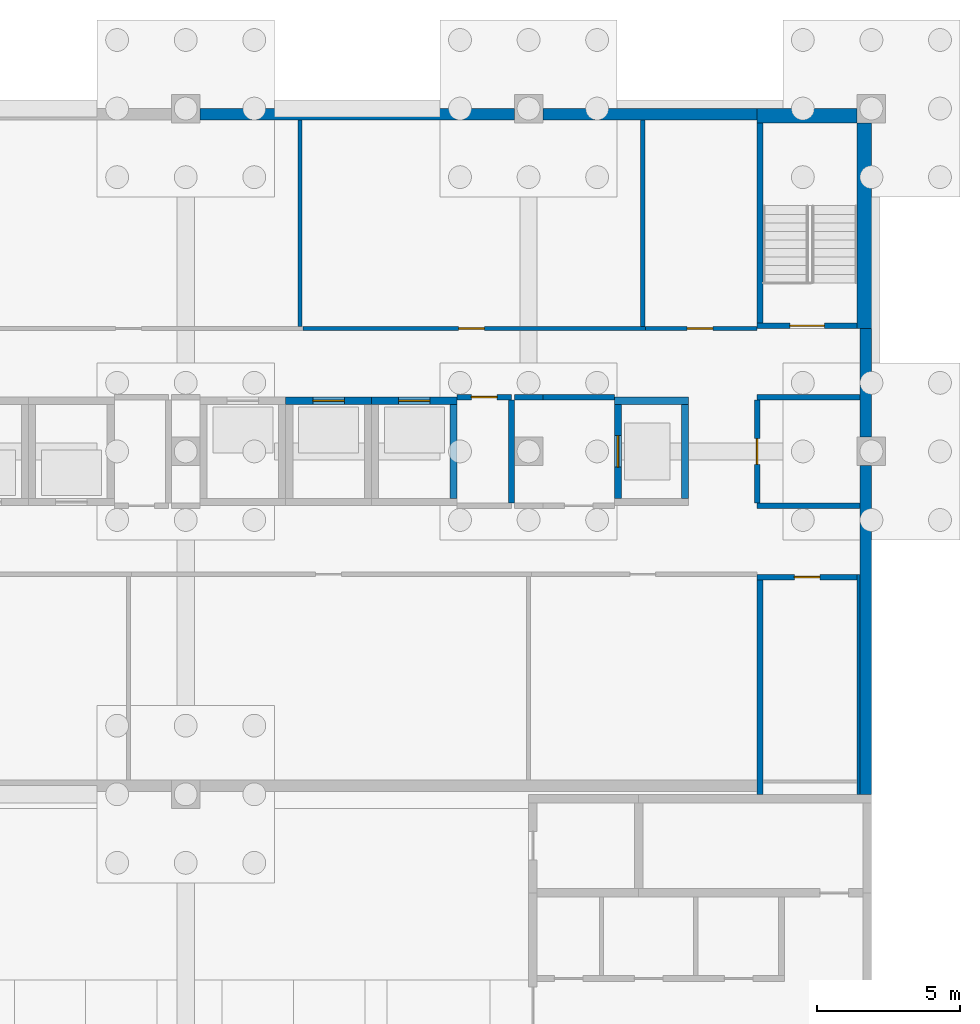
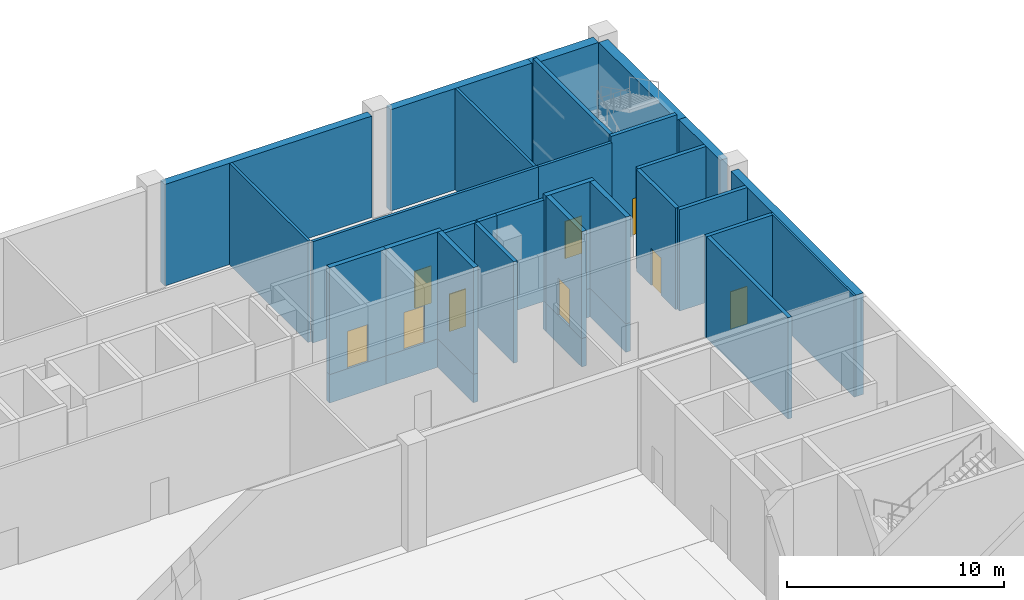
# One storey, part 28 of 34: 34 walls, 9 doors, 9 openings.
"""IFC4 building model written with IfcOpenShell, lengths in metres."""

import ifcopenshell
import ifcopenshell.guid

model = None  # the IFC model being written
_history = None  # IfcOwnerHistory: only IFC2X3 demands one
_inside = {}  # id of a spatial element -> (the spatial element, [elements in it])
_under = {}  # id of a project, library or spatial element -> (it, [spatial elements below it])
_declared = {}  # id of a project -> (the project, [libraries it declares])
_typed = {}  # id of a type object -> (the type object, [elements of that type])
_made_of = {}  # id of a material, layer set ... -> (it, [elements and type objects made of it])


def new_model(schema):
    """Start an empty IFC model of exactly this schema.

    Asked for "IFC4X3", IfcOpenShell would pick the latest addendum, in which some entities
    have other attributes; the version numbers below select the first issue.
    IFC2X3 requires an IfcOwnerHistory on every rooted entity: one is made here for all.
    """
    global model, _history
    if schema == "IFC4X3":
        model = ifcopenshell.file(schema_version=(4, 3, 0, 0))
    else:
        model = ifcopenshell.file(schema=schema)
    _inside.clear()
    _under.clear()
    _declared.clear()
    _typed.clear()
    _made_of.clear()
    _history = None
    if model.schema == "IFC2X3":
        org = make("IfcOrganization", Name="unknown")
        user = make(
            "IfcPersonAndOrganization",
            ThePerson=make("IfcPerson", FamilyName="unknown"),
            TheOrganization=org,
        )
        app = make(
            "IfcApplication",
            ApplicationDeveloper=org,
            Version="unknown",
            ApplicationFullName="unknown",
            ApplicationIdentifier="unknown",
        )
        _history = make(
            "IfcOwnerHistory",
            OwningUser=user,
            OwningApplication=app,
            ChangeAction="ADDED",
            CreationDate=0,
        )
    return model


def make(cls, **values):
    """One entity of the class cls with the attributes given. An attribute that is None is left unset."""
    return model.create_entity(
        cls, **{name: value for name, value in values.items() if value is not None}
    )


def rooted(cls, **values):
    """An entity with a GlobalId (a new one), such as an element, a storey or a relation."""
    return make(cls, GlobalId=ifcopenshell.guid.new(), OwnerHistory=_history, **values)


def si_unit(unit_type, name, prefix=None):
    """IfcSIUnit, for example si_unit("LENGTHUNIT", "METRE", prefix="MILLI")."""
    return make("IfcSIUnit", UnitType=unit_type, Prefix=prefix, Name=name)


def assignment(units):
    """IfcUnitAssignment: the units of a project."""
    return None if units is None else make("IfcUnitAssignment", Units=units)


def point(xyz):
    """IfcCartesianPoint."""
    return None if xyz is None else make("IfcCartesianPoint", Coordinates=xyz)


def direction(xyz):
    """IfcDirection."""
    return None if xyz is None else make("IfcDirection", DirectionRatios=xyz)


def frame(location, z_axis=None, x_axis=None):
    """IfcAxis2Placement3D, a coordinate frame: its origin and axes. An axis left out is left unset."""
    return make(
        "IfcAxis2Placement3D",
        Location=point(location),
        Axis=direction(z_axis),
        RefDirection=direction(x_axis),
    )


def frame_2d(location, x_axis=None):
    """IfcAxis2Placement2D, a coordinate frame in the plane: its origin and x axis."""
    return make(
        "IfcAxis2Placement2D", Location=point(location), RefDirection=direction(x_axis)
    )


def origin():
    """The frame at (0, 0, 0) with its axes left unset."""
    return frame((0.0, 0.0, 0.0))


def place(relative_to, where):
    """IfcLocalPlacement: puts the frame where relative to a parent placement (None: the world)."""
    return make(
        "IfcLocalPlacement", PlacementRelTo=relative_to, RelativePlacement=where
    )


def context(
    kind, dimensions, precision=None, world=None, true_north=None, identifier=None
):
    """IfcGeometricRepresentationContext, for example the 3D "Model" context."""
    return make(
        "IfcGeometricRepresentationContext",
        ContextIdentifier=identifier,
        ContextType=kind,
        CoordinateSpaceDimension=dimensions,
        Precision=precision,
        WorldCoordinateSystem=world,
        TrueNorth=true_north,
    )


def subcontext(parent, identifier, kind, view, scale=None):
    """IfcGeometricRepresentationSubContext, for example "Body" below "Model"."""
    return make(
        "IfcGeometricRepresentationSubContext",
        ContextIdentifier=identifier,
        ContextType=kind,
        ParentContext=parent,
        TargetScale=scale,
        TargetView=view,
    )


def project(units=None, contexts=None):
    """IfcProject with its units and contexts."""
    return rooted(
        "IfcProject",
        Name="project",
        RepresentationContexts=contexts,
        UnitsInContext=assignment(units),
    )


def spatial(cls, under=None, at=None, **own):
    """A site, building, storey or space (cls), placed at a placement, below another one or the project."""
    s = rooted(cls, ObjectPlacement=at, **own)
    if under is not None:
        _under.setdefault(under.id(), (under, []))[1].append(s)
    return s


def profile(cls, at=None, kind="AREA", **sizes):
    """A parametric profile (cls). Its sizes go by their IFC names, for example OverallWidth=200.0."""
    return make(cls, ProfileType=kind, Position=at, **sizes)


def rectangle(**sizes):
    """IfcRectangleProfileDef."""
    return profile("IfcRectangleProfileDef", **sizes)


def extrude(swept, where, along, depth):
    """IfcExtrudedAreaSolid: the profile swept, set in the frame where, extruded along a direction by depth."""
    return make(
        "IfcExtrudedAreaSolid",
        SweptArea=swept,
        Position=where,
        ExtrudedDirection=direction(along),
        Depth=depth,
    )


def shape(context_of_items, identifier, shape_type, items):
    """IfcShapeRepresentation: the items that make up one representation, for example the "Body"."""
    return make(
        "IfcShapeRepresentation",
        ContextOfItems=context_of_items,
        RepresentationIdentifier=identifier,
        RepresentationType=shape_type,
        Items=items,
    )


def material(Name=None, Category=None):
    """IfcMaterial."""
    return make("IfcMaterial", Name=Name, Category=Category)


def layer(
    of_material, thickness, ventilated=None, Name=None, Category=None, Priority=None
):
    """IfcMaterialLayer: one layer of a wall or slab, of a material (None: an air gap)."""
    return make(
        "IfcMaterialLayer",
        Material=of_material,
        LayerThickness=thickness,
        IsVentilated=ventilated,
        Name=Name,
        Category=Category,
        Priority=Priority,
    )


def layer_set(layers, Name=None):
    """IfcMaterialLayerSet."""
    return make("IfcMaterialLayerSet", MaterialLayers=layers, LayerSetName=Name)


def made_of(thing, what):
    """Note that an element or type object is made of a material, layer set ...; save() writes the relation."""
    if what is not None:
        _made_of.setdefault(what.id(), (what, []))[1].append(thing)
    return thing


def type_object(cls, material=None, **own):
    """A type object (cls), such as IfcWallType, which elements share."""
    return made_of(rooted(cls, **own), material)


def element(
    cls,
    number,
    at=None,
    inside=None,
    cuts=None,
    type_object=None,
    material=None,
    context=None,
    identifier="Body",
    shape_type=None,
    held_by="IfcProductDefinitionShape",
    body=None,
    shapes=None,
    **own,
):
    """One element of the class cls, such as IfcWall. Its Tag is "e" and its number.

    at: its placement. inside: the storey or other place that contains it. cuts: it is an
    opening in that element (IfcRelVoidsElement). A single representation is given by context,
    identifier, shape_type and body (its items); several are given by shapes. held_by: the class
    of the entity that holds the representations. save() writes the other relations.
    """
    e = rooted(cls, Tag="e%d" % number, ObjectPlacement=at, **own)
    if body is not None:
        shapes = [shape(context, identifier, shape_type, body)]
    if shapes is not None:
        e.Representation = make(held_by, Representations=shapes)
    if inside is not None:
        _inside.setdefault(inside.id(), (inside, []))[1].append(e)
    if cuts is not None:
        rooted(
            "IfcRelVoidsElement", RelatingBuildingElement=cuts, RelatedOpeningElement=e
        )
    if type_object is not None:
        _typed.setdefault(type_object.id(), (type_object, []))[1].append(e)
    return made_of(e, material)


def fill(opening, filler):
    """IfcRelFillsElement: the door or window that sits in an opening."""
    return rooted(
        "IfcRelFillsElement",
        RelatingOpeningElement=opening,
        RelatedBuildingElement=filler,
    )


def aggregate(whole, parts):
    """IfcRelAggregates: a whole, such as a stair, and the parts it consists of."""
    return rooted("IfcRelAggregates", RelatingObject=whole, RelatedObjects=parts)


def save(model, path):
    """Write the relations noted so far, then the file.

    IfcRelAggregates (storeys below a building ...), IfcRelContainedInSpatialStructure (elements
    in a storey), IfcRelDefinesByType, IfcRelAssociatesMaterial and IfcRelDeclares: one each for
    every whole, place, type object, material and project.
    """
    for whole, parts in _under.values():
        aggregate(whole, parts)
    for where, things in _inside.values():
        rooted(
            "IfcRelContainedInSpatialStructure",
            RelatedElements=things,
            RelatingStructure=where,
        )
    for kind, things in _typed.values():
        rooted("IfcRelDefinesByType", RelatedObjects=things, RelatingType=kind)
    for what, things in _made_of.values():
        rooted("IfcRelAssociatesMaterial", RelatedObjects=things, RelatingMaterial=what)
    for by, libraries in _declared.values():
        rooted("IfcRelDeclares", RelatingContext=by, RelatedDefinitions=libraries)
    model.write(path)


model = new_model("IFC4")

# Units and contexts
model_context = context("Model", 3, precision=1e-05, world=origin(), true_north=direction((0.0, 1.0)))
body_context = subcontext(model_context, "Body", "Model", "MODEL_VIEW")
ifc_project = project(units=[si_unit("LENGTHUNIT", "METRE"), si_unit("AREAUNIT", "SQUARE_METRE"), si_unit("VOLUMEUNIT", "CUBIC_METRE"), si_unit("PLANEANGLEUNIT", "RADIAN"), si_unit("MASSUNIT", "GRAM", prefix="KILO")], contexts=[model_context])

# Site, building, storey
site_placement = place(None, origin())
site = spatial("IfcSite", under=ifc_project, at=site_placement, CompositionType="ELEMENT")
building_placement = place(site_placement, origin())
building = spatial("IfcBuilding", under=site, at=building_placement, Name="Lilac Gate Convention Centre", CompositionType="ELEMENT")
storey_placement = place(building_placement, frame((0.0, 0.0, -6.0)))
storey = spatial("IfcBuildingStorey", under=building, at=storey_placement, Name="B1", CompositionType="ELEMENT", Elevation=-6.0)

# Walls
ifc_material_1 = material(Name="Concrete C35", Category="concrete")
ifc_layer_1 = layer(ifc_material_1, 0.39990234375)
ifc_layer_set_1 = layer_set([ifc_layer_1], Name="Concrete C35")
wall_type_1 = type_object("IfcWallType", Name="Basement wall 400 C35", PredefinedType="SOLIDWALL", material=ifc_layer_set_1)
wall_1_placement = place(storey_placement, frame((89.800048828125, 222.0, 0.0), z_axis=(0.0, 0.0, 1.0), x_axis=(0.0, 1.0, 0.0)))
element("IfcWall", 1, at=wall_1_placement, inside=storey, type_object=wall_type_1, Name="SW2 basement wall 7 at 8/G", PredefinedType="SOLIDWALL", context=body_context, shape_type="SweptSolid", body=[
    extrude(rectangle(XDim=11.5, YDim=0.39990234375, at=frame_2d((5.75, 0.0))), origin(), (0.0, 0.0, 1.0), 5.699951171875),
])
wall_2_placement = place(storey_placement, frame((89.800048828125, 234.5, 0.0), z_axis=(0.0, 0.0, 1.0), x_axis=(0.0, 1.0, 0.0)))
element("IfcWall", 2, at=wall_2_placement, inside=storey, type_object=wall_type_1, Name="SW2 basement wall 8 at 8/G", PredefinedType="SOLIDWALL", context=body_context, shape_type="SweptSolid", body=[
    extrude(rectangle(XDim=3.800048828125, YDim=0.39990234375, at=frame_2d((1.89990234375, 0.0))), origin(), (0.0, 0.0, 1.0), 5.699951171875),
])
wall_3_placement = place(storey_placement, frame((66.5, 245.800048828125, 0.0), z_axis=(0.0, 0.0, 1.0), x_axis=(1.0, 0.0, 0.0)))
element("IfcWall", 3, at=wall_3_placement, inside=storey, type_object=wall_type_1, Name="SW2 basement wall 6 at 1/U", PredefinedType="SOLIDWALL", context=body_context, shape_type="SweptSolid", body=[
    extrude(rectangle(XDim=11.0, YDim=0.39990234375, at=frame_2d((5.5, 0.0))), origin(), (0.0, 0.0, 1.0), 5.699951171875),
])
wall_4_placement = place(storey_placement, frame((78.5, 245.800048828125, 0.0), z_axis=(0.0, 0.0, 1.0), x_axis=(1.0, 0.0, 0.0)))
element("IfcWall", 4, at=wall_4_placement, inside=storey, type_object=wall_type_1, Name="SW2 basement wall 7 at 1/U", PredefinedType="SOLIDWALL", context=body_context, shape_type="SweptSolid", body=[
    extrude(rectangle(XDim=7.5, YDim=0.39990234375, at=frame_2d((3.75, 0.0))), origin(), (0.0, 0.0, 1.0), 5.699951171875),
])
ifc_material_2 = material(Name="Concrete C60", Category="concrete")
ifc_layer_2 = layer(ifc_material_2, 0.10009765625)
ifc_layer_set_2 = layer_set([ifc_layer_2], Name="Concrete C60")
wall_type_2 = type_object("IfcWallType", Name="Core wall 100 C60", PredefinedType="SHEAR", material=ifc_layer_set_2)
wall_5_placement = place(storey_placement, frame((89.550048828125, 229.699951171875, 0.0), z_axis=(0.0, 0.0, 1.0), x_axis=(0.0, -1.0, 0.0)))
element("IfcWall", 5, at=wall_5_placement, inside=storey, type_object=wall_type_2, Name="CRW8 core wall TS-EX B1 1", PredefinedType="SHEAR", context=body_context, shape_type="SweptSolid", body=[
    extrude(rectangle(XDim=7.699951171875, YDim=0.10009765625, at=frame_2d((3.85009765625, 0.0))), origin(), (0.0, 0.0, 1.0), 5.699951171875),
])

# Wall, opening, door
ifc_layer_3 = layer(ifc_material_2, 0.199951171875)
ifc_layer_set_3 = layer_set([ifc_layer_3], Name="Concrete C60")
wall_type_3 = type_object("IfcWallType", Name="Core wall 200 C60", PredefinedType="SHEAR", material=ifc_layer_set_3)
wall_6_placement = place(storey_placement, frame((86.0, 238.39990234375, 0.0), z_axis=(0.0, 0.0, 1.0), x_axis=(1.0, 0.0, 0.0)))
wall_6 = element("IfcWall", 6, at=wall_6_placement, inside=storey, type_object=wall_type_3, Name="CRW2 core wall TB-N B1 1", PredefinedType="SHEAR", context=body_context, shape_type="SweptSolid", body=[
    extrude(rectangle(XDim=3.5, YDim=0.199951171875, at=frame_2d((1.75, 0.0))), origin(), (0.0, 0.0, 1.0), 6.0),
])
opening_1_placement = place(wall_6_placement, frame((1.14990234375, 0.0, 0.0)))
opening_1 = element("IfcOpeningElement", 7, at=opening_1_placement, cuts=wall_6, Name="Opening TB1-026", PredefinedType="OPENING", context=body_context, shape_type="SweptSolid", body=[
    extrude(rectangle(XDim=1.199951171875, YDim=2.10009765625, at=frame_2d((0.60009765625, 1.050048828125))), frame((0.0, 0.10986328125, 0.0), z_axis=(0.0, -1.0, 0.0), x_axis=(1.0, 0.0, 0.0)), (0.0, 0.0, 1.0), 0.219970703125),
])
ifc_material_3 = material(Name="Steel Q235B", Category="steel")
door_type_1 = type_object("IfcDoorType", Name="Stair door 1200", OperationType="SINGLE_SWING_LEFT", PredefinedType="DOOR", material=ifc_material_3)
door_1_placement = place(opening_1_placement, origin())
door_1 = element("IfcDoor", 8, at=door_1_placement, inside=storey, type_object=door_type_1, Name="Stair door BN B1", OperationType="SINGLE_SWING_LEFT", OverallHeight=2.10009765625, OverallWidth=1.199951171875, PredefinedType="DOOR", context=body_context, shape_type="SweptSolid", body=[
    extrude(rectangle(XDim=1.199951171875, YDim=2.10009765625, at=frame_2d((0.60009765625, 1.050048828125))), frame((0.0, 0.02490234375, 0.0), z_axis=(0.0, -1.0, 0.0), x_axis=(1.0, 0.0, 0.0)), (0.0, 0.0, 1.0), 0.050048828125),
])
fill(opening_1, door_1)

# Wall
wall_7_placement = place(storey_placement, frame((86.10009765625, 238.5, 0.0), z_axis=(0.0, 0.0, 1.0), x_axis=(0.0, 1.0, 0.0)))
element("IfcWall", 9, at=wall_7_placement, inside=storey, type_object=wall_type_3, Name="CRW2 core wall TB-N B1 2", PredefinedType="SHEAR", context=body_context, shape_type="SweptSolid", body=[
    extrude(rectangle(XDim=7.0, YDim=0.199951171875, at=frame_2d((3.5, 0.0))), origin(), (0.0, 0.0, 1.0), 6.0),
])

# Wall, opening, door
wall_8_placement = place(storey_placement, frame((89.5, 229.60009765625, 0.0), z_axis=(0.0, 0.0, 1.0), x_axis=(-1.0, 0.0, 0.0)))
wall_8 = element("IfcWall", 10, at=wall_8_placement, inside=storey, type_object=wall_type_3, Name="CRW2 core wall TS-E B1 1", PredefinedType="SHEAR", context=body_context, shape_type="SweptSolid", body=[
    extrude(rectangle(XDim=3.5, YDim=0.199951171875, at=frame_2d((1.75, 0.0))), origin(), (0.0, 0.0, 1.0), 5.699951171875),
])
opening_2_placement = place(wall_8_placement, frame((1.300048828125, 0.0, 0.0)))
opening_2 = element("IfcOpeningElement", 11, at=opening_2_placement, cuts=wall_8, Name="Opening TB1-025", PredefinedType="OPENING", context=body_context, shape_type="SweptSolid", body=[
    extrude(rectangle(XDim=0.89990234375, YDim=2.10009765625, at=frame_2d((0.449951171875, 1.050048828125))), frame((0.0, 0.10986328125, 0.0), z_axis=(0.0, -1.0, 0.0), x_axis=(1.0, 0.0, 0.0)), (0.0, 0.0, 1.0), 0.219970703125),
])
door_type_2 = type_object("IfcDoorType", Name="Riser and store door 900", OperationType="SINGLE_SWING_LEFT", PredefinedType="DOOR", material=ifc_material_3)
door_2_placement = place(opening_2_placement, origin())
door_2 = element("IfcDoor", 12, at=door_2_placement, inside=storey, type_object=door_type_2, Name="Engineering Store door", OperationType="SINGLE_SWING_RIGHT", OverallHeight=2.10009765625, OverallWidth=0.89990234375, PredefinedType="DOOR", context=body_context, shape_type="SweptSolid", body=[
    extrude(rectangle(XDim=0.89990234375, YDim=2.10009765625, at=frame_2d((0.449951171875, 1.050048828125))), frame((0.0, 0.02490234375, 0.0), z_axis=(0.0, -1.0, 0.0), x_axis=(1.0, 0.0, 0.0)), (0.0, 0.0, 1.0), 0.050048828125),
])
fill(opening_2, door_2)

# Wall
wall_9_placement = place(storey_placement, frame((86.10009765625, 222.0, 0.0), z_axis=(0.0, 0.0, 1.0), x_axis=(0.0, 1.0, 0.0)))
element("IfcWall", 13, at=wall_9_placement, inside=storey, type_object=wall_type_3, Name="CRW2 core wall TS-E B1 2", PredefinedType="SHEAR", context=body_context, shape_type="SweptSolid", body=[
    extrude(rectangle(XDim=7.5, YDim=0.199951171875, at=frame_2d((3.75, 0.0))), origin(), (0.0, 0.0, 1.0), 5.699951171875),
])

# Wall, opening, door
ifc_layer_4 = layer(ifc_material_2, 0.25)
ifc_layer_set_4 = layer_set([ifc_layer_4], Name="Concrete C60")
wall_type_4 = type_object("IfcWallType", Name="Core wall 250 C60", PredefinedType="SHEAR", material=ifc_layer_set_4)
wall_10_placement = place(storey_placement, frame((69.5, 235.77490234375, 0.0), z_axis=(0.0, 0.0, 1.0), x_axis=(1.0, 0.0, 0.0)))
wall_10 = element("IfcWall", 14, at=wall_10_placement, inside=storey, type_object=wall_type_4, Name="CRW3 core wall TC B1 18", PredefinedType="SHEAR", context=body_context, shape_type="SweptSolid", body=[
    extrude(rectangle(XDim=3.0, YDim=0.25, at=frame_2d((1.5, 0.0))), origin(), (0.0, 0.0, 1.0), 6.0),
])
opening_3_placement = place(wall_10_placement, frame((0.949951171875, 0.0, 0.0)))
opening_3 = element("IfcOpeningElement", 15, at=opening_3_placement, cuts=wall_10, Name="Opening TB1-019", PredefinedType="OPENING", context=body_context, shape_type="SweptSolid", body=[
    extrude(rectangle(XDim=1.10009765625, YDim=2.10009765625, at=frame_2d((0.550048828125, 1.050048828125))), frame((0.0, 0.135009765625, 0.0), z_axis=(0.0, -1.0, 0.0), x_axis=(1.0, 0.0, 0.0)), (0.0, 0.0, 1.0), 0.27001953125),
])
ifc_material_4 = material(Name="Stainless steel 304", Category="steel")
door_type_3 = type_object("IfcDoorType", Name="Lift landing door 1100", OperationType="SLIDING_TO_LEFT", PredefinedType="DOOR", material=ifc_material_4)
door_3_placement = place(opening_3_placement, origin())
door_3 = element("IfcDoor", 16, at=door_3_placement, inside=storey, type_object=door_type_3, Name="Lift landing door TP5 B1", OperationType="SLIDING_TO_LEFT", OverallHeight=2.10009765625, OverallWidth=1.10009765625, PredefinedType="DOOR", context=body_context, shape_type="SweptSolid", body=[
    extrude(rectangle(XDim=1.10009765625, YDim=2.10009765625, at=frame_2d((0.550048828125, 1.050048828125))), frame((0.0, 0.02490234375, 0.0), z_axis=(0.0, -1.0, 0.0), x_axis=(1.0, 0.0, 0.0)), (0.0, 0.0, 1.0), 0.050048828125),
])
fill(opening_3, door_3)

wall_11_placement = place(storey_placement, frame((72.5, 235.77490234375, 0.0), z_axis=(0.0, 0.0, 1.0), x_axis=(1.0, 0.0, 0.0)))
wall_11 = element("IfcWall", 17, at=wall_11_placement, inside=storey, type_object=wall_type_4, Name="CRW3 core wall TC B1 22", PredefinedType="SHEAR", context=body_context, shape_type="SweptSolid", body=[
    extrude(rectangle(XDim=3.0, YDim=0.25, at=frame_2d((1.5, 0.0))), origin(), (0.0, 0.0, 1.0), 6.0),
])
opening_4_placement = place(wall_11_placement, frame((0.949951171875, 0.0, 0.0)))
opening_4 = element("IfcOpeningElement", 18, at=opening_4_placement, cuts=wall_11, Name="Opening TB1-020", PredefinedType="OPENING", context=body_context, shape_type="SweptSolid", body=[
    extrude(rectangle(XDim=1.10009765625, YDim=2.10009765625, at=frame_2d((0.550048828125, 1.050048828125))), frame((0.0, 0.135009765625, 0.0), z_axis=(0.0, -1.0, 0.0), x_axis=(1.0, 0.0, 0.0)), (0.0, 0.0, 1.0), 0.27001953125),
])
door_4_placement = place(opening_4_placement, origin())
door_4 = element("IfcDoor", 19, at=door_4_placement, inside=storey, type_object=door_type_3, Name="Lift landing door TP6 B1", OperationType="SLIDING_TO_LEFT", OverallHeight=2.10009765625, OverallWidth=1.10009765625, PredefinedType="DOOR", context=body_context, shape_type="SweptSolid", body=[
    extrude(rectangle(XDim=1.10009765625, YDim=2.10009765625, at=frame_2d((0.550048828125, 1.050048828125))), frame((0.0, 0.02490234375, 0.0), z_axis=(0.0, -1.0, 0.0), x_axis=(1.0, 0.0, 0.0)), (0.0, 0.0, 1.0), 0.050048828125),
])
fill(opening_4, door_4)

# Walls
wall_12_placement = place(storey_placement, frame((75.375, 232.35009765625, 0.0), z_axis=(0.0, 0.0, 1.0), x_axis=(0.0, 1.0, 0.0)))
element("IfcWall", 20, at=wall_12_placement, inside=storey, type_object=wall_type_4, Name="CRW3 core wall TC B1 24", PredefinedType="SHEAR", context=body_context, shape_type="SweptSolid", body=[
    extrude(rectangle(XDim=3.2998046875, YDim=0.25, at=frame_2d((1.64990234375, 0.0))), origin(), (0.0, 0.0, 1.0), 6.0),
])
wall_13_placement = place(storey_placement, frame((81.0, 235.77490234375, 0.0), z_axis=(0.0, 0.0, 1.0), x_axis=(1.0, 0.0, 0.0)))
element("IfcWall", 21, at=wall_13_placement, inside=storey, type_object=wall_type_4, Name="CRW3 core wall TC B1 34", PredefinedType="SHEAR", context=body_context, shape_type="SweptSolid", body=[
    extrude(rectangle(XDim=2.60009765625, YDim=0.25, at=frame_2d((1.300048828125, 0.0))), origin(), (0.0, 0.0, 1.0), 6.0),
])

# Wall, opening, door
wall_14_placement = place(storey_placement, frame((81.125, 232.35009765625, 0.0), z_axis=(0.0, 0.0, 1.0), x_axis=(0.0, 1.0, 0.0)))
wall_14 = element("IfcWall", 22, at=wall_14_placement, inside=storey, type_object=wall_type_4, Name="CRW3 core wall TC B1 35", PredefinedType="SHEAR", context=body_context, shape_type="SweptSolid", body=[
    extrude(rectangle(XDim=3.2998046875, YDim=0.25, at=frame_2d((1.64990234375, 0.0))), origin(), (0.0, 0.0, 1.0), 6.0),
])
opening_5_placement = place(wall_14_placement, frame((1.10009765625, 0.0, 0.0)))
opening_5 = element("IfcOpeningElement", 23, at=opening_5_placement, cuts=wall_14, Name="Opening TB1-023", PredefinedType="OPENING", context=body_context, shape_type="SweptSolid", body=[
    extrude(rectangle(XDim=1.10009765625, YDim=2.10009765625, at=frame_2d((0.550048828125, 1.050048828125))), frame((0.0, 0.135009765625, 0.0), z_axis=(0.0, -1.0, 0.0), x_axis=(1.0, 0.0, 0.0)), (0.0, 0.0, 1.0), 0.27001953125),
])
door_5_placement = place(opening_5_placement, origin())
door_5 = element("IfcDoor", 24, at=door_5_placement, inside=storey, type_object=door_type_3, Name="Lift landing door TF1 B1", OperationType="SLIDING_TO_LEFT", OverallHeight=2.10009765625, OverallWidth=1.10009765625, PredefinedType="DOOR", context=body_context, shape_type="SweptSolid", body=[
    extrude(rectangle(XDim=1.10009765625, YDim=2.10009765625, at=frame_2d((0.550048828125, 1.050048828125))), frame((0.0, 0.02490234375, 0.0), z_axis=(0.0, -1.0, 0.0), x_axis=(1.0, 0.0, 0.0)), (0.0, 0.0, 1.0), 0.050048828125),
])
fill(opening_5, door_5)

# Walls
wall_15_placement = place(storey_placement, frame((83.47509765625, 232.35009765625, 0.0), z_axis=(0.0, 0.0, 1.0), x_axis=(0.0, 1.0, 0.0)))
element("IfcWall", 25, at=wall_15_placement, inside=storey, type_object=wall_type_4, Name="CRW3 core wall TC B1 36", PredefinedType="SHEAR", context=body_context, shape_type="SweptSolid", body=[
    extrude(rectangle(XDim=3.2998046875, YDim=0.25, at=frame_2d((1.64990234375, 0.0))), origin(), (0.0, 0.0, 1.0), 6.0),
])
ifc_layer_5 = layer(ifc_material_2, 0.5)
ifc_layer_set_5 = layer_set([ifc_layer_5], Name="Concrete C60")
wall_type_5 = type_object("IfcWallType", Name="Core wall 500 C60", PredefinedType="SHEAR", material=ifc_layer_set_5)
wall_16_placement = place(storey_placement, frame((89.75, 238.300048828125, 0.0), z_axis=(0.0, 0.0, 1.0), x_axis=(0.0, 1.0, 0.0)))
element("IfcWall", 26, at=wall_16_placement, inside=storey, type_object=wall_type_5, Name="CRW1 core wall TB-E B1 1", PredefinedType="SHEAR", context=body_context, shape_type="SweptSolid", body=[
    extrude(rectangle(XDim=7.199951171875, YDim=0.5, at=frame_2d((3.60009765625, 0.0))), origin(), (0.0, 0.0, 1.0), 5.699951171875),
])
wall_17_placement = place(storey_placement, frame((86.0, 245.75, 0.0), z_axis=(0.0, 0.0, 1.0), x_axis=(1.0, 0.0, 0.0)))
element("IfcWall", 27, at=wall_17_placement, inside=storey, type_object=wall_type_5, Name="CRW1 core wall TB-E B1 2", PredefinedType="SHEAR", context=body_context, shape_type="SweptSolid", body=[
    extrude(rectangle(XDim=3.5, YDim=0.5, at=frame_2d((1.75, 0.0))), origin(), (0.0, 0.0, 1.0), 5.699951171875),
])

# Wall, opening, door
ifc_material_5 = material(Name="Gypsum board on steel stud", Category="steel")
ifc_layer_6 = layer(ifc_material_5, 0.14990234375)
ifc_layer_set_6 = layer_set([ifc_layer_6], Name="Gypsum board on steel stud")
wall_type_6 = type_object("IfcWallType", Name="Corridor wall 150", PredefinedType="PARTITIONING", material=ifc_layer_set_6)
wall_18_placement = place(storey_placement, frame((70.10009765625, 238.300048828125, 0.0), z_axis=(0.0, 0.0, 1.0), x_axis=(1.0, 0.0, 0.0)))
wall_18 = element("IfcWall", 28, at=wall_18_placement, inside=storey, type_object=wall_type_6, Name="Corridor wall 150 front WTR", PredefinedType="PARTITIONING", context=body_context, shape_type="SweptSolid", body=[
    extrude(rectangle(XDim=12.0, YDim=0.14990234375, at=frame_2d((6.0, 0.0))), origin(), (0.0, 0.0, 1.0), 5.699951171875),
])
opening_6_placement = place(wall_18_placement, frame((5.449951171875, 0.0, 0.0)))
opening_6 = element("IfcOpeningElement", 29, at=opening_6_placement, cuts=wall_18, Name="Opening TB1-013", PredefinedType="OPENING", context=body_context, shape_type="SweptSolid", body=[
    extrude(rectangle(XDim=0.89990234375, YDim=2.10009765625, at=frame_2d((0.449951171875, 1.050048828125))), frame((0.0, 0.0849609375, 0.0), z_axis=(0.0, -1.0, 0.0), x_axis=(1.0, 0.0, 0.0)), (0.0, 0.0, 1.0), 0.169921875),
])
door_6_placement = place(opening_6_placement, origin())
door_6 = element("IfcDoor", 30, at=door_6_placement, inside=storey, type_object=door_type_2, Name="Water Tank Room door", OperationType="SINGLE_SWING_LEFT", OverallHeight=2.10009765625, OverallWidth=0.89990234375, PredefinedType="DOOR", context=body_context, shape_type="SweptSolid", body=[
    extrude(rectangle(XDim=0.89990234375, YDim=2.10009765625, at=frame_2d((0.449951171875, 1.050048828125))), frame((0.0, 0.02490234375, 0.0), z_axis=(0.0, -1.0, 0.0), x_axis=(1.0, 0.0, 0.0)), (0.0, 0.0, 1.0), 0.050048828125),
])
fill(opening_6, door_6)

wall_19_placement = place(storey_placement, frame((82.10009765625, 238.300048828125, 0.0), z_axis=(0.0, 0.0, 1.0), x_axis=(1.0, 0.0, 0.0)))
wall_19 = element("IfcWall", 31, at=wall_19_placement, inside=storey, type_object=wall_type_6, Name="Corridor wall 150 front CST", PredefinedType="PARTITIONING", context=body_context, shape_type="SweptSolid", body=[
    extrude(rectangle(XDim=3.89990234375, YDim=0.14990234375, at=frame_2d((1.949951171875, 0.0))), origin(), (0.0, 0.0, 1.0), 5.699951171875),
])
opening_7_placement = place(wall_19_placement, frame((1.449951171875, 0.0, 0.0)))
opening_7 = element("IfcOpeningElement", 32, at=opening_7_placement, cuts=wall_19, Name="Opening TB1-014", PredefinedType="OPENING", context=body_context, shape_type="SweptSolid", body=[
    extrude(rectangle(XDim=0.89990234375, YDim=2.10009765625, at=frame_2d((0.449951171875, 1.050048828125))), frame((0.0, 0.0849609375, 0.0), z_axis=(0.0, -1.0, 0.0), x_axis=(1.0, 0.0, 0.0)), (0.0, 0.0, 1.0), 0.169921875),
])
door_7_placement = place(opening_7_placement, origin())
door_7 = element("IfcDoor", 33, at=door_7_placement, inside=storey, type_object=door_type_2, Name="Hotel Cold Store door", OperationType="SINGLE_SWING_LEFT", OverallHeight=2.10009765625, OverallWidth=0.89990234375, PredefinedType="DOOR", context=body_context, shape_type="SweptSolid", body=[
    extrude(rectangle(XDim=0.89990234375, YDim=2.10009765625, at=frame_2d((0.449951171875, 1.050048828125))), frame((0.0, 0.02490234375, 0.0), z_axis=(0.0, -1.0, 0.0), x_axis=(1.0, 0.0, 0.0)), (0.0, 0.0, 1.0), 0.050048828125),
])
fill(opening_7, door_7)

# Walls
ifc_layer_7 = layer(ifc_material_5, 0.199951171875)
ifc_layer_set_7 = layer_set([ifc_layer_7], Name="Gypsum board on steel stud")
wall_type_7 = type_object("IfcWallType", Name="Lobby wall 200", PredefinedType="PARTITIONING", material=ifc_layer_set_7)
wall_20_placement = place(storey_placement, frame((86.0, 232.10009765625, 0.0), z_axis=(0.0, 0.0, 1.0), x_axis=(1.0, 0.0, 0.0)))
element("IfcWall", 34, at=wall_20_placement, inside=storey, type_object=wall_type_7, Name="Lobby wall 200 STL-N", PredefinedType="PARTITIONING", context=body_context, shape_type="SweptSolid", body=[
    extrude(rectangle(XDim=3.60009765625, YDim=0.199951171875, at=frame_2d((1.800048828125, 0.0))), origin(), (0.0, 0.0, 1.0), 5.699951171875),
])
wall_21_placement = place(storey_placement, frame((78.5, 235.89990234375, 0.0), z_axis=(0.0, 0.0, 1.0), x_axis=(1.0, 0.0, 0.0)))
element("IfcWall", 35, at=wall_21_placement, inside=storey, type_object=wall_type_7, Name="Lobby wall 200 FFL-N", PredefinedType="PARTITIONING", context=body_context, shape_type="SweptSolid", body=[
    extrude(rectangle(XDim=2.5, YDim=0.199951171875, at=frame_2d((1.25, 0.0))), origin(), (0.0, 0.0, 1.0), 5.699951171875),
])

# Wall, opening, door
ifc_layer_8 = layer(ifc_material_5, 0.199951171875)
ifc_layer_set_8 = layer_set([ifc_layer_8], Name="Gypsum board on steel stud")
wall_type_8 = type_object("IfcWallType", Name="Riser and store wall 200", PredefinedType="PARTITIONING", material=ifc_layer_set_8)
wall_22_placement = place(storey_placement, frame((77.39990234375, 235.89990234375, 0.0), z_axis=(0.0, 0.0, 1.0), x_axis=(-1.0, 0.0, 0.0)))
wall_22 = element("IfcWall", 36, at=wall_22_placement, inside=storey, type_object=wall_type_8, Name="Riser and store wall 200 RS2-N", PredefinedType="PARTITIONING", context=body_context, shape_type="SweptSolid", body=[
    extrude(rectangle(XDim=1.89990234375, YDim=0.199951171875, at=frame_2d((0.949951171875, 0.0))), origin(), (0.0, 0.0, 1.0), 5.699951171875),
])
opening_8_placement = place(wall_22_placement, frame((0.5, 0.0, 0.0)))
opening_8 = element("IfcOpeningElement", 37, at=opening_8_placement, cuts=wall_22, Name="Opening TB1-003", PredefinedType="OPENING", context=body_context, shape_type="SweptSolid", body=[
    extrude(rectangle(XDim=0.89990234375, YDim=2.10009765625, at=frame_2d((0.449951171875, 1.050048828125))), frame((0.0, 0.10986328125, 0.0), z_axis=(0.0, -1.0, 0.0), x_axis=(1.0, 0.0, 0.0)), (0.0, 0.0, 1.0), 0.219970703125),
])
door_8_placement = place(opening_8_placement, origin())
door_8 = element("IfcDoor", 38, at=door_8_placement, inside=storey, type_object=door_type_2, Name="Riser room door", OperationType="SINGLE_SWING_LEFT", OverallHeight=2.10009765625, OverallWidth=0.89990234375, PredefinedType="DOOR", context=body_context, shape_type="SweptSolid", body=[
    extrude(rectangle(XDim=0.89990234375, YDim=2.10009765625, at=frame_2d((0.449951171875, 1.050048828125))), frame((0.0, 0.02490234375, 0.0), z_axis=(0.0, -1.0, 0.0), x_axis=(1.0, 0.0, 0.0)), (0.0, 0.0, 1.0), 0.050048828125),
])
fill(opening_8, door_8)

# Walls
wall_23_placement = place(storey_placement, frame((77.5, 235.89990234375, 0.0), z_axis=(0.0, 0.0, 1.0), x_axis=(1.0, 0.0, 0.0)))
element("IfcWall", 39, at=wall_23_placement, inside=storey, type_object=wall_type_8, Name="Riser and store wall 200 NICHE3-N", PredefinedType="PARTITIONING", context=body_context, shape_type="SweptSolid", body=[
    extrude(rectangle(XDim=1.0, YDim=0.199951171875, at=frame_2d((0.5, 0.0))), origin(), (0.0, 0.0, 1.0), 5.699951171875),
])
for number, where, z_axis, x_axis, name in (
    (40, (86.0, 235.89990234375, 0.0), (0.0, 0.0, 1.0), (1.0, 0.0, 0.0), "Riser and store wall 200 STE-N"),
    (41, (77.39990234375, 232.199951171875, 0.0), (0.0, 0.0, 1.0), (0.0, 1.0, 0.0), "Riser and store wall 200 RS2-E"),
):
    element("IfcWall", number, at=place(storey_placement, frame(where, z_axis=z_axis, x_axis=x_axis)), inside=storey, type_object=wall_type_8, Name=name, PredefinedType="PARTITIONING", context=body_context, shape_type="SweptSolid", body=[
        extrude(rectangle(XDim=3.60009765625, YDim=0.199951171875, at=frame_2d((1.800048828125, 0.0))), origin(), (0.0, 0.0, 1.0), 5.699951171875),
    ])

# Wall, opening, door
wall_24_placement = place(storey_placement, frame((86.0, 235.800048828125, 0.0), z_axis=(0.0, 0.0, 1.0), x_axis=(0.0, -1.0, 0.0)))
wall_24 = element("IfcWall", 42, at=wall_24_placement, inside=storey, type_object=wall_type_8, Name="Riser and store wall 200 STE-W", PredefinedType="PARTITIONING", context=body_context, shape_type="SweptSolid", body=[
    extrude(rectangle(XDim=3.60009765625, YDim=0.199951171875, at=frame_2d((1.800048828125, 0.0))), origin(), (0.0, 0.0, 1.0), 5.699951171875),
])
opening_9_placement = place(wall_24_placement, frame((1.35009765625, 0.0, 0.0)))
opening_9 = element("IfcOpeningElement", 43, at=opening_9_placement, cuts=wall_24, Name="Opening TB1-005", PredefinedType="OPENING", context=body_context, shape_type="SweptSolid", body=[
    extrude(rectangle(XDim=0.89990234375, YDim=2.10009765625, at=frame_2d((0.449951171875, 1.050048828125))), frame((0.0, 0.10986328125, 0.0), z_axis=(0.0, -1.0, 0.0), x_axis=(1.0, 0.0, 0.0)), (0.0, 0.0, 1.0), 0.219970703125),
])
door_9_placement = place(opening_9_placement, origin())
door_9 = element("IfcDoor", 44, at=door_9_placement, inside=storey, type_object=door_type_2, Name="Linen store door", OperationType="SINGLE_SWING_LEFT", OverallHeight=2.10009765625, OverallWidth=0.89990234375, PredefinedType="DOOR", context=body_context, shape_type="SweptSolid", body=[
    extrude(rectangle(XDim=0.89990234375, YDim=2.10009765625, at=frame_2d((0.449951171875, 1.050048828125))), frame((0.0, 0.02490234375, 0.0), z_axis=(0.0, -1.0, 0.0), x_axis=(1.0, 0.0, 0.0)), (0.0, 0.0, 1.0), 0.050048828125),
])
fill(opening_9, door_9)

# Walls
ifc_layer_9 = layer(ifc_material_5, 0.14990234375)
ifc_layer_set_9 = layer_set([ifc_layer_9], Name="Gypsum board on steel stud")
wall_type_9 = type_object("IfcWallType", Name="Room partition 150", PredefinedType="PARTITIONING", material=ifc_layer_set_9)
for number, where, z_axis, x_axis, name in (
    (45, (70.0, 245.60009765625, 0.0), (0.0, 0.0, 1.0), (0.0, -1.0, 0.0), "Room partition 150 part WTR"),
    (46, (82.0, 245.60009765625, 0.0), (0.0, 0.0, 1.0), (0.0, -1.0, 0.0), "Room partition 150 part CST"),
):
    element("IfcWall", number, at=place(storey_placement, frame(where, z_axis=z_axis, x_axis=x_axis)), inside=storey, type_object=wall_type_9, Name=name, PredefinedType="PARTITIONING", context=body_context, shape_type="SweptSolid", body=[
        extrude(rectangle(XDim=7.22509765625, YDim=0.14990234375, at=frame_2d((3.612548828125, 0.0))), origin(), (0.0, 0.0, 1.0), 5.699951171875),
    ])
ifc_material_6 = material(Name="Concrete C40", Category="concrete")
ifc_layer_10 = layer(ifc_material_6, 0.25)
ifc_layer_set_10 = layer_set([ifc_layer_10], Name="Concrete C40")
wall_type_10 = type_object("IfcWallType", Name="Tower lift pit wall 250", PredefinedType="SOLIDWALL", material=ifc_layer_set_10)
for number, where, z_axis, x_axis, name in (
    (47, (69.5, 235.77490234375, -1.60009765625), (0.0, 0.0, 1.0), (1.0, 0.0, 0.0), "Lift pit wall TP5"),
    (48, (72.5, 235.77490234375, -1.60009765625), (0.0, 0.0, 1.0), (1.0, 0.0, 0.0), "Lift pit wall TP6"),
):
    element("IfcWall", number, at=place(storey_placement, frame(where, z_axis=z_axis, x_axis=x_axis)), inside=storey, type_object=wall_type_10, Name=name, PredefinedType="SOLIDWALL", context=body_context, shape_type="SweptSolid", body=[
        extrude(rectangle(XDim=3.0, YDim=0.25, at=frame_2d((1.5, 0.0))), origin(), (0.0, 0.0, 1.0), 1.60009765625),
    ])
wall_25_placement = place(storey_placement, frame((75.375, 232.35009765625, -1.60009765625), z_axis=(0.0, 0.0, 1.0), x_axis=(0.0, 1.0, 0.0)))
element("IfcWall", 49, at=wall_25_placement, inside=storey, type_object=wall_type_10, Name="Lift pit wall TP6", PredefinedType="SOLIDWALL", context=body_context, shape_type="SweptSolid", body=[
    extrude(rectangle(XDim=3.2998046875, YDim=0.25, at=frame_2d((1.64990234375, 0.0))), origin(), (0.0, 0.0, 1.0), 1.60009765625),
])
wall_26_placement = place(storey_placement, frame((81.0, 235.77490234375, -1.60009765625), z_axis=(0.0, 0.0, 1.0), x_axis=(1.0, 0.0, 0.0)))
element("IfcWall", 50, at=wall_26_placement, inside=storey, type_object=wall_type_10, Name="Lift pit wall TF1", PredefinedType="SOLIDWALL", context=body_context, shape_type="SweptSolid", body=[
    extrude(rectangle(XDim=2.60009765625, YDim=0.25, at=frame_2d((1.300048828125, 0.0))), origin(), (0.0, 0.0, 1.0), 1.60009765625),
])
for number, where, z_axis, x_axis, name in (
    (51, (81.125, 232.35009765625, -1.60009765625), (0.0, 0.0, 1.0), (0.0, 1.0, 0.0), "Lift pit wall TF1"),
    (52, (83.47509765625, 232.35009765625, -1.60009765625), (0.0, 0.0, 1.0), (0.0, 1.0, 0.0), "Lift pit wall TF1"),
):
    element("IfcWall", number, at=place(storey_placement, frame(where, z_axis=z_axis, x_axis=x_axis)), inside=storey, type_object=wall_type_10, Name=name, PredefinedType="SOLIDWALL", context=body_context, shape_type="SweptSolid", body=[
        extrude(rectangle(XDim=3.2998046875, YDim=0.25, at=frame_2d((1.64990234375, 0.0))), origin(), (0.0, 0.0, 1.0), 1.60009765625),
    ])

save(model, "model.ifc")
